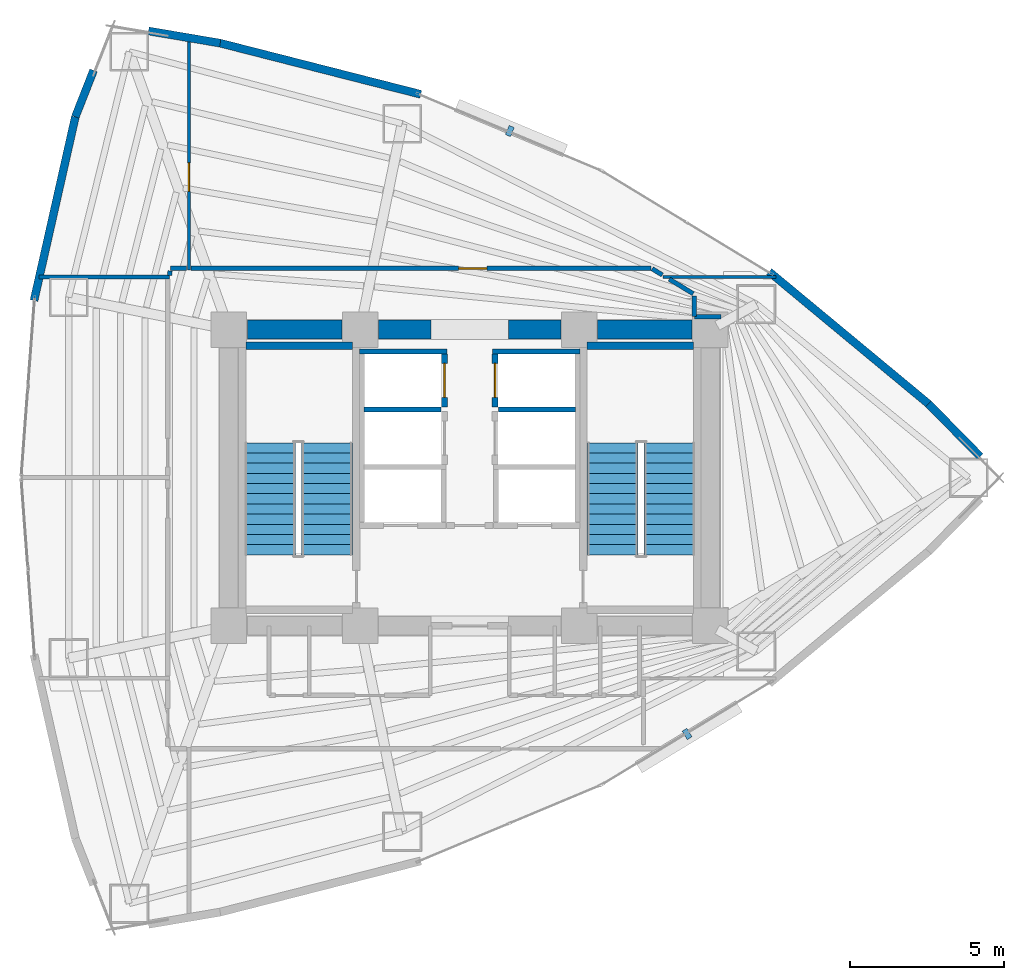
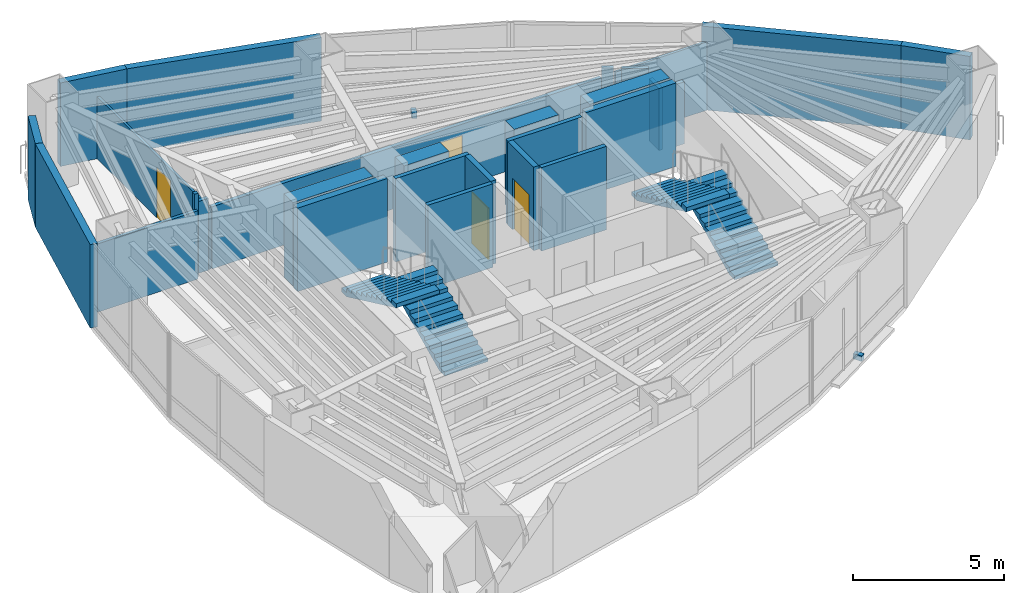
# One storey, part 14 of 16: 28 walls, 4 doors, 4 stair flights, 2 discrete accessories, 4 openings, 2 elements without a shape of their own.
"""IFC4 building model written with IfcOpenShell, lengths in metres."""

from ifc_helpers import new_model, si_unit, direction, frame, frame_2d, origin, origin_2d, place, context, subcontext, project, spatial, polyline, rectangle, outline, extrude, material, layer, layer_set, type_object, element, fill, aggregate, save


model = new_model("IFC4")

# Units and contexts
model_context = context("Model", 3, precision=1e-05, world=origin(), true_north=direction((0.0, 1.0)))
body_context = subcontext(model_context, "Body", "Model", "MODEL_VIEW")
ifc_project = project(units=[si_unit("LENGTHUNIT", "METRE"), si_unit("AREAUNIT", "SQUARE_METRE"), si_unit("VOLUMEUNIT", "CUBIC_METRE"), si_unit("PLANEANGLEUNIT", "RADIAN"), si_unit("MASSUNIT", "GRAM", prefix="KILO")], contexts=[model_context])

# Site, building, storey
site_placement = place(None, origin())
site = spatial("IfcSite", under=ifc_project, at=site_placement, CompositionType="ELEMENT")
building_placement = place(site_placement, origin())
building = spatial("IfcBuilding", under=site, at=building_placement, Name="Menara Vayukalpa", CompositionType="ELEMENT")
storey_placement = place(building_placement, frame((0.0, 0.0, 79.679931640625)))
storey = spatial("IfcBuildingStorey", under=building, at=storey_placement, Name="L19", CompositionType="ELEMENT", Elevation=79.679931640625)

# Walls
ifc_material_1 = material(Name="Concrete C70/85", Category="concrete")
ifc_layer_1 = layer(ifc_material_1, 0.60009765625)
ifc_layer_set_1 = layer_set([ifc_layer_1], Name="Concrete C70/85")
wall_type_1 = type_object("IfcWallType", Name="WAL-CW600", PredefinedType="SHEAR", material=ifc_layer_set_1)
wall_1_placement = place(storey_placement, frame((18.39501953125, 26.800048828125, 0.0), z_axis=(0.0, 0.0, 1.0), x_axis=(1.0, 0.0, 0.0)))
element("IfcWall", 1, at=wall_1_placement, inside=storey, type_object=wall_type_1, Name="L19 Buttressed Core Shear Wall CWN1", PredefinedType="SHEAR", context=body_context, shape_type="SweptSolid", body=[
    extrude(rectangle(XDim=3.06005859375, YDim=0.60009765625, at=frame_2d((1.530029296875, 0.0))), origin(), (0.0, 0.0, 1.0), 3.380126953125),
])
wall_2_placement = place(storey_placement, frame((22.64501953125, 26.800048828125, 0.0), z_axis=(0.0, 0.0, 1.0), x_axis=(1.0, 0.0, 0.0)))
element("IfcWall", 2, at=wall_2_placement, inside=storey, type_object=wall_type_1, Name="L19 Buttressed Core Shear Wall CWN2", PredefinedType="SHEAR", context=body_context, shape_type="SweptSolid", body=[
    extrude(rectangle(XDim=1.705078125, YDim=0.60009765625, at=frame_2d((0.8525390625, 0.0))), origin(), (0.0, 0.0, 1.0), 3.380126953125),
])
wall_3_placement = place(storey_placement, frame((26.85009765625, 26.800048828125, 0.0), z_axis=(0.0, 0.0, 1.0), x_axis=(1.0, 0.0, 0.0)))
element("IfcWall", 3, at=wall_3_placement, inside=storey, type_object=wall_type_1, Name="L19 Buttressed Core Shear Wall CWN3", PredefinedType="SHEAR", context=body_context, shape_type="SweptSolid", body=[
    extrude(rectangle(XDim=1.704833984375, YDim=0.60009765625, at=frame_2d((0.8525390625, 0.0))), origin(), (0.0, 0.0, 1.0), 3.380126953125),
])
wall_4_placement = place(storey_placement, frame((29.7451171875, 26.800048828125, 0.0), z_axis=(0.0, 0.0, 1.0), x_axis=(1.0, 0.0, 0.0)))
element("IfcWall", 4, at=wall_4_placement, inside=storey, type_object=wall_type_1, Name="L19 Buttressed Core Shear Wall CWN4", PredefinedType="SHEAR", context=body_context, shape_type="SweptSolid", body=[
    extrude(rectangle(XDim=3.059814453125, YDim=0.60009765625, at=frame_2d((1.52978515625, 0.0))), origin(), (0.0, 0.0, 1.0), 3.380126953125),
])
ifc_material_2 = material(Name="Insulated Precast Concrete C40/50", Category="concrete")
ifc_layer_2 = layer(ifc_material_2, 0.260009765625)
ifc_layer_set_2 = layer_set([ifc_layer_2], Name="Insulated Precast Concrete C40/50")
wall_type_2 = type_object("IfcWallType", Name="WAL-EXT260", PredefinedType="PARTITIONING", material=ifc_layer_set_2)
wall_5_placement = place(storey_placement, frame((40.46337890625, 24.39208984375, 0.0), z_axis=(0.0, 0.0, 1.0), x_axis=(0.700603293449, -0.713550996922, 0.0)))
element("IfcWall", 5, at=wall_5_placement, inside=storey, type_object=wall_type_2, Name="L19 Perimeter Terracotta Pier Wall 02", PredefinedType="PARTITIONING", context=body_context, shape_type="SweptSolid", body=[
    extrude(rectangle(XDim=2.394775390625, YDim=0.260009765625, at=frame_2d((1.197265625, 0.0))), origin(), (0.0, 0.0, 1.0), 3.380126953125),
])
wall_6_placement = place(storey_placement, frame((35.30126953125, 28.672119140625, 0.0), z_axis=(0.0, 0.0, 1.0), x_axis=(0.76975316947, -0.638341646841, 0.0)))
element("IfcWall", 6, at=wall_6_placement, inside=storey, type_object=wall_type_2, Name="L19 Perimeter Terracotta Pier Wall 03", PredefinedType="PARTITIONING", context=body_context, shape_type="SweptSolid", body=[
    extrude(rectangle(XDim=6.718017578125, YDim=0.260009765625, at=frame_2d((3.35888671875, 0.0))), origin(), (0.0, 0.0, 1.0), 3.380126953125),
])
wall_7_placement = place(storey_placement, frame((17.504638671875, 36.08056640625, 0.0), z_axis=(0.0, 0.0, 1.0), x_axis=(0.968981437296, -0.247133514876, 0.0)))
element("IfcWall", 7, at=wall_7_placement, inside=storey, type_object=wall_type_2, Name="L19 Perimeter Terracotta Pier Wall 06", PredefinedType="PARTITIONING", context=body_context, shape_type="SweptSolid", body=[
    extrude(rectangle(XDim=6.717529296875, YDim=0.260009765625, at=frame_2d((3.35888671875, 0.0))), origin(), (0.0, 0.0, 1.0), 3.380126953125),
])
wall_8_placement = place(storey_placement, frame((15.19287109375, 36.472412109375, 0.0), z_axis=(0.0, 0.0, 1.0), x_axis=(0.985905269947, -0.167304508875, 0.0)))
element("IfcWall", 8, at=wall_8_placement, inside=storey, type_object=wall_type_2, Name="L19 Perimeter Terracotta Pier Wall 07", PredefinedType="PARTITIONING", context=body_context, shape_type="SweptSolid", body=[
    extrude(rectangle(XDim=2.356689453125, YDim=0.260009765625, at=frame_2d((1.17822265625, 0.0))), origin(), (0.0, 0.0, 1.0), 3.380126953125),
])
wall_9_placement = place(storey_placement, frame((12.822021484375, 33.69140625, 0.0), z_axis=(0.0, 0.0, 1.0), x_axis=(0.365488551504, 0.930815835018, 0.0)))
element("IfcWall", 9, at=wall_9_placement, inside=storey, type_object=wall_type_2, Name="L19 Perimeter Terracotta Pier Wall 08", PredefinedType="PARTITIONING", context=body_context, shape_type="SweptSolid", body=[
    extrude(rectangle(XDim=1.61376953125, YDim=0.260009765625, at=frame_2d((0.806884765625, 0.0))), origin(), (0.0, 0.0, 1.0), 3.380126953125),
])
wall_10_placement = place(storey_placement, frame((11.482421875, 27.73828125, 0.0), z_axis=(0.0, 0.0, 1.0), x_axis=(0.219535044336, 0.975604614743, 0.0)))
element("IfcWall", 10, at=wall_10_placement, inside=storey, type_object=wall_type_2, Name="L19 Perimeter Terracotta Pier Wall 09", PredefinedType="PARTITIONING", context=body_context, shape_type="SweptSolid", body=[
    extrude(rectangle(XDim=6.10205078125, YDim=0.260009765625, at=frame_2d((3.051025390625, 0.0))), origin(), (0.0, 0.0, 1.0), 3.380126953125),
])
ifc_material_3 = material(Name="Lightweight Concrete Blockwork C16/20", Category="masonry")
ifc_layer_3 = layer(ifc_material_3, 0.159912109375)
ifc_layer_set_3 = layer_set([ifc_layer_3], Name="Lightweight Concrete Blockwork C16/20")
wall_type_3 = type_object("IfcWallType", Name="WAL-FR150", PredefinedType="PARTITIONING", material=ifc_layer_set_3)
wall_11_placement = place(storey_placement, frame((22.179931640625, 24.215087890625, 0.0), z_axis=(0.0, 0.0, 1.0), x_axis=(1.0, 0.0, 0.0)))
element("IfcWall", 11, at=wall_11_placement, inside=storey, type_object=wall_type_3, Name="L19 Interior Partition IW-L19-SHM-W23", PredefinedType="PARTITIONING", context=body_context, shape_type="SweptSolid", body=[
    extrude(rectangle(XDim=2.489990234375, YDim=0.159912109375, at=frame_2d((1.2451171875, 0.0))), origin(), (0.0, 0.0, 1.0), 3.380126953125),
])
wall_12_placement = place(storey_placement, frame((22.030029296875, 26.0849609375, 0.0), z_axis=(0.0, 0.0, 1.0), x_axis=(1.0, 0.0, 0.0)))
element("IfcWall", 12, at=wall_12_placement, inside=storey, type_object=wall_type_3, Name="L19 Interior Partition IW-L19-SHM-W3N", PredefinedType="PARTITIONING", context=body_context, shape_type="SweptSolid", body=[
    extrude(rectangle(XDim=2.830078125, YDim=0.159912109375, at=frame_2d((1.4150390625, 0.0))), origin(), (0.0, 0.0, 1.0), 3.380126953125),
])
wall_13_placement = place(storey_placement, frame((26.530029296875, 24.215087890625, 0.0), z_axis=(0.0, 0.0, 1.0), x_axis=(1.0, 0.0, 0.0)))
element("IfcWall", 13, at=wall_13_placement, inside=storey, type_object=wall_type_3, Name="L19 Interior Partition IW-L19-SHM-E32", PredefinedType="PARTITIONING", context=body_context, shape_type="SweptSolid", body=[
    extrude(rectangle(XDim=2.489990234375, YDim=0.159912109375, at=frame_2d((1.2451171875, 0.0))), origin(), (0.0, 0.0, 1.0), 3.380126953125),
])
wall_14_placement = place(storey_placement, frame((26.340087890625, 26.0849609375, 0.0), z_axis=(0.0, 0.0, 1.0), x_axis=(1.0, 0.0, 0.0)))
element("IfcWall", 14, at=wall_14_placement, inside=storey, type_object=wall_type_3, Name="L19 Interior Partition IW-L19-SHM-E2N", PredefinedType="PARTITIONING", context=body_context, shape_type="SweptSolid", body=[
    extrude(rectangle(XDim=2.829833984375, YDim=0.159912109375, at=frame_2d((1.4150390625, 0.0))), origin(), (0.0, 0.0, 1.0), 3.380126953125),
])

# Wall, opening, door
ifc_material_4 = material(Name="Lightweight Concrete Blockwork C16/20", Category="masonry")
ifc_layer_4 = layer(ifc_material_4, 0.199951171875)
ifc_layer_set_4 = layer_set([ifc_layer_4], Name="Lightweight Concrete Blockwork C16/20")
wall_type_4 = type_object("IfcWallType", Name="WAL-FR200", PredefinedType="PARTITIONING", material=ifc_layer_set_4)
wall_15_placement = place(storey_placement, frame((24.780029296875, 24.2900390625, 0.0), z_axis=(0.0, 0.0, 1.0), x_axis=(0.0, 1.0, 0.0)))
wall_15 = element("IfcWall", 15, at=wall_15_placement, inside=storey, type_object=wall_type_4, Name="L19 Interior Partition IW-L19-SH-W3", PredefinedType="PARTITIONING", context=body_context, shape_type="SweptSolid", body=[
    extrude(rectangle(XDim=1.719970703125, YDim=0.199951171875, at=frame_2d((0.85986328125, 0.0))), origin(), (0.0, 0.0, 1.0), 3.380126953125),
])
opening_1_placement = place(wall_15_placement, frame((0.31005859375, 0.0, 0.0)))
opening_1 = element("IfcOpeningElement", 16, at=opening_1_placement, cuts=wall_15, Name="Opening LD1", PredefinedType="OPENING", context=body_context, shape_type="SweptSolid", body=[
    extrude(rectangle(XDim=1.10009765625, YDim=2.080078125, at=frame_2d((0.550048828125, 1.0400390625))), frame((0.0, 0.10986328125, 0.0), z_axis=(0.0, -1.0, 0.0), x_axis=(1.0, 0.0, 0.0)), (0.0, 0.0, 1.0), 0.219970703125),
])
ifc_material_5 = material(Name="Brushed Stainless Steel 316 Lift Door", Category="steel")
door_type_1 = type_object("IfcDoorType", Name="DR-LD110", OperationType="NOTDEFINED", PredefinedType="DOOR", material=ifc_material_5)
door_1_placement = place(opening_1_placement, origin())
door_1 = element("IfcDoor", 17, at=door_1_placement, inside=storey, type_object=door_type_1, Name="L19 Interior Door DR-L19-LD-W3", OperationType="DOUBLE_DOOR_SLIDING", OverallHeight=2.080078125, OverallWidth=1.10009765625, PredefinedType="DOOR", context=body_context, shape_type="SweptSolid", body=[
    extrude(rectangle(XDim=1.10009765625, YDim=2.080078125, at=frame_2d((0.550048828125, 1.0400390625))), frame((0.0, 0.02490234375, 0.0), z_axis=(0.0, -1.0, 0.0), x_axis=(1.0, 0.0, 0.0)), (0.0, 0.0, 1.0), 0.050048828125),
])
fill(opening_1, door_1)

wall_16_placement = place(storey_placement, frame((26.419921875, 24.2900390625, 0.0), z_axis=(0.0, 0.0, 1.0), x_axis=(0.0, 1.0, 0.0)))
wall_16 = element("IfcWall", 18, at=wall_16_placement, inside=storey, type_object=wall_type_4, Name="L19 Interior Partition IW-L19-SH-E2", PredefinedType="PARTITIONING", context=body_context, shape_type="SweptSolid", body=[
    extrude(rectangle(XDim=1.719970703125, YDim=0.199951171875, at=frame_2d((0.85986328125, 0.0))), origin(), (0.0, 0.0, 1.0), 3.380126953125),
])
opening_2_placement = place(wall_16_placement, frame((0.31005859375, 0.0, 0.0)))
opening_2 = element("IfcOpeningElement", 19, at=opening_2_placement, cuts=wall_16, Name="Opening LD1", PredefinedType="OPENING", context=body_context, shape_type="SweptSolid", body=[
    extrude(rectangle(XDim=1.10009765625, YDim=2.080078125, at=frame_2d((0.550048828125, 1.0400390625))), frame((0.0, 0.10986328125, 0.0), z_axis=(0.0, -1.0, 0.0), x_axis=(1.0, 0.0, 0.0)), (0.0, 0.0, 1.0), 0.219970703125),
])
door_2_placement = place(opening_2_placement, origin())
door_2 = element("IfcDoor", 20, at=door_2_placement, inside=storey, type_object=door_type_1, Name="L19 Interior Door DR-L19-LD-E2", OperationType="DOUBLE_DOOR_SLIDING", OverallHeight=2.080078125, OverallWidth=1.10009765625, PredefinedType="DOOR", context=body_context, shape_type="SweptSolid", body=[
    extrude(rectangle(XDim=1.10009765625, YDim=2.080078125, at=frame_2d((0.550048828125, 1.0400390625))), frame((0.0, 0.02490234375, 0.0), z_axis=(0.0, -1.0, 0.0), x_axis=(1.0, 0.0, 0.0)), (0.0, 0.0, 1.0), 0.050048828125),
])
fill(opening_2, door_2)

ifc_material_6 = material(Name="Glazed Demountable Office Partition", Category="glass")
ifc_layer_5 = layer(ifc_material_6, 0.094970703125)
ifc_layer_set_5 = layer_set([ifc_layer_5], Name="Glazed Demountable Office Partition")
wall_type_5 = type_object("IfcWallType", Name="WAL-PT100", PredefinedType="PARTITIONING", material=ifc_layer_set_5)
wall_17_placement = place(storey_placement, frame((16.5, 28.72998046875, 0.0), z_axis=(0.0, 0.0, 1.0), x_axis=(0.0, 1.0, 0.0)))
wall_17 = element("IfcWall", 21, at=wall_17_placement, inside=storey, type_object=wall_type_5, Name="L19 Interior Partition IW-L19-RDIV02", PredefinedType="PARTITIONING", context=body_context, shape_type="SweptSolid", body=[
    extrude(rectangle(XDim=7.53076171875, YDim=0.094970703125, at=frame_2d((3.765380859375, 0.0))), origin(), (0.0, 0.0, 1.0), 2.510009765625),
])
opening_3_placement = place(wall_17_placement, frame((2.549072265625, 0.0, 0.0)))
opening_3 = element("IfcOpeningElement", 22, at=opening_3_placement, cuts=wall_17, Name="Opening ID6", PredefinedType="OPENING", context=body_context, shape_type="SweptSolid", body=[
    extrude(rectangle(XDim=0.919921875, YDim=2.050048828125, at=frame_2d((0.4599609375, 1.02490234375))), frame((0.0, 0.057373046875, 0.0), z_axis=(0.0, -1.0, 0.0), x_axis=(1.0, 0.0, 0.0)), (0.0, 0.0, 1.0), 0.114990234375),
])
ifc_material_7 = material(Name="Acoustic Hardwood Veneer Timber Door", Category="wood")
door_type_2 = type_object("IfcDoorType", Name="DR-INT92", OperationType="NOTDEFINED", PredefinedType="DOOR", material=ifc_material_7)
door_3_placement = place(opening_3_placement, origin())
door_3 = element("IfcDoor", 23, at=door_3_placement, inside=storey, type_object=door_type_2, Name="L19 Interior Door DR-L19-STE07", OperationType="SINGLE_SWING_RIGHT", OverallHeight=2.050048828125, OverallWidth=0.919921875, PredefinedType="DOOR", context=body_context, shape_type="SweptSolid", body=[
    extrude(rectangle(XDim=0.919921875, YDim=2.050048828125, at=frame_2d((0.4599609375, 1.02490234375))), frame((0.0, 0.02490234375, 0.0), z_axis=(0.0, -1.0, 0.0), x_axis=(1.0, 0.0, 0.0)), (0.0, 0.0, 1.0), 0.050048828125),
])
fill(opening_3, door_3)

# Walls
wall_18_placement = place(storey_placement, frame((31.855712890625, 28.5, 0.0), z_axis=(0.0, 0.0, 1.0), x_axis=(1.0, 0.0, 0.0)))
element("IfcWall", 24, at=wall_18_placement, inside=storey, type_object=wall_type_5, Name="L19 Interior Partition IW-L19-RDIV06", PredefinedType="PARTITIONING", context=body_context, shape_type="SweptSolid", body=[
    extrude(rectangle(XDim=3.668701171875, YDim=0.094970703125, at=frame_2d((1.83447265625, 0.0))), origin(), (0.0, 0.0, 1.0), 2.760009765625),
])
ifc_material_8 = material(Name="Gypsum Drywall Steel Stud Assembly", Category="steel")
ifc_layer_6 = layer(ifc_material_8, 0.125)
ifc_layer_set_6 = layer_set([ifc_layer_6], Name="Gypsum Drywall Steel Stud Assembly")
wall_type_6 = type_object("IfcWallType", Name="WAL-PT125", PredefinedType="PARTITIONING", material=ifc_layer_set_6)
wall_19_placement = place(storey_placement, frame((11.6435546875, 28.5, 0.0), z_axis=(0.0, 0.0, 1.0), x_axis=(1.0, 0.0, 0.0)))
element("IfcWall", 25, at=wall_19_placement, inside=storey, type_object=wall_type_6, Name="L19 Interior Partition IW-L19-RDIV05", PredefinedType="PARTITIONING", context=body_context, shape_type="SweptSolid", body=[
    extrude(rectangle(XDim=4.2265625, YDim=0.125, at=frame_2d((2.11328125, 0.0))), origin(), (0.0, 0.0, 1.0), 2.760009765625),
])
ifc_material_9 = material(Name="Gypsum Drywall Acoustic Stud Assembly", Category="masonry")
ifc_layer_7 = layer(ifc_material_9, 0.14501953125)
ifc_layer_set_7 = layer_set([ifc_layer_7], Name="Gypsum Drywall Acoustic Stud Assembly")
wall_type_7 = type_object("IfcWallType", Name="WAL-PT150", PredefinedType="PARTITIONING", material=ifc_layer_set_7)
wall_20_placement = place(storey_placement, frame((33.739990234375, 27.219970703125, 0.0), z_axis=(0.0, 0.0, 1.0), x_axis=(-1.0, 0.0, 0.0)))
element("IfcWall", 26, at=wall_20_placement, inside=storey, type_object=wall_type_7, Name="L19 Interior Partition IW-L19-CRM05-1", PredefinedType="PARTITIONING", context=body_context, shape_type="SweptSolid", body=[
    extrude(rectangle(XDim=0.860107421875, YDim=0.14501953125, at=frame_2d((0.43017578125, 0.0))), origin(), (0.0, 0.0, 1.0), 2.510009765625),
])
wall_21_placement = place(storey_placement, frame((32.8798828125, 27.219970703125, 0.0), z_axis=(0.0, 0.0, 1.0), x_axis=(0.0, 1.0, 0.0)))
element("IfcWall", 27, at=wall_21_placement, inside=storey, type_object=wall_type_7, Name="L19 Interior Partition IW-L19-CRM05-2", PredefinedType="PARTITIONING", context=body_context, shape_type="SweptSolid", body=[
    extrude(rectangle(XDim=0.671142578125, YDim=0.14501953125, at=frame_2d((0.33544921875, 0.0))), origin(), (0.0, 0.0, 1.0), 2.510009765625),
])
wall_22_placement = place(storey_placement, frame((32.841552734375, 27.959716796875, 0.0), z_axis=(0.0, 0.0, 1.0), x_axis=(-0.854770437211, 0.519006261686, 0.0)))
element("IfcWall", 28, at=wall_22_placement, inside=storey, type_object=wall_type_7, Name="L19 Interior Partition IW-L19-CRM05-3", PredefinedType="PARTITIONING", context=body_context, shape_type="SweptSolid", body=[
    extrude(rectangle(XDim=0.906005859375, YDim=0.14501953125, at=frame_2d((0.453125, 0.0))), origin(), (0.0, 0.0, 1.0), 2.91015625),
])
wall_23_placement = place(storey_placement, frame((31.83984375, 28.568115234375, 0.0), z_axis=(0.0, 0.0, 1.0), x_axis=(-0.854857682939, 0.518862546269, 0.0)))
element("IfcWall", 29, at=wall_23_placement, inside=storey, type_object=wall_type_7, Name="L19 Interior Partition IW-L19-CRM06-1", PredefinedType="PARTITIONING", context=body_context, shape_type="SweptSolid", body=[
    extrude(rectangle(XDim=0.3857421875, YDim=0.14501953125, at=frame_2d((0.19287109375, 0.0))), origin(), (0.0, 0.0, 1.0), 2.91015625),
])

# Wall, opening, door
wall_24_placement = place(storey_placement, frame((31.468505859375, 28.780029296875, 0.0), z_axis=(0.0, 0.0, 1.0), x_axis=(-1.0, 0.0, 0.0)))
wall_24 = element("IfcWall", 30, at=wall_24_placement, inside=storey, type_object=wall_type_7, Name="L19 Interior Partition IW-L19-CRM06-2", PredefinedType="PARTITIONING", context=body_context, shape_type="SweptSolid", body=[
    extrude(rectangle(XDim=14.8984375, YDim=0.14501953125, at=frame_2d((7.44921875, 0.0))), origin(), (0.0, 0.0, 1.0), 2.510009765625),
])
opening_4_placement = place(wall_24_placement, frame((5.31201171875, 0.0, 0.0)))
opening_4 = element("IfcOpeningElement", 31, at=opening_4_placement, cuts=wall_24, Name="Opening ID6", PredefinedType="OPENING", context=body_context, shape_type="SweptSolid", body=[
    extrude(rectangle(XDim=0.919921875, YDim=2.050048828125, at=frame_2d((0.4599609375, 1.02490234375))), frame((0.0, 0.08251953125, 0.0), z_axis=(0.0, -1.0, 0.0), x_axis=(1.0, 0.0, 0.0)), (0.0, 0.0, 1.0), 0.1650390625),
])
door_4_placement = place(opening_4_placement, origin())
door_4 = element("IfcDoor", 32, at=door_4_placement, inside=storey, type_object=door_type_2, Name="L19 Interior Door DR-L19-RM06", OperationType="SINGLE_SWING_RIGHT", OverallHeight=2.050048828125, OverallWidth=0.919921875, PredefinedType="DOOR", context=body_context, shape_type="SweptSolid", body=[
    extrude(rectangle(XDim=0.919921875, YDim=2.050048828125, at=frame_2d((0.4599609375, 1.02490234375))), frame((0.0, 0.02490234375, 0.0), z_axis=(0.0, -1.0, 0.0), x_axis=(1.0, 0.0, 0.0)), (0.0, 0.0, 1.0), 0.050048828125),
])
fill(opening_4, door_4)

# Walls
wall_25_placement = place(storey_placement, frame((16.429931640625, 28.780029296875, 0.0), z_axis=(0.0, 0.0, 1.0), x_axis=(-1.0, 0.0, 0.0)))
element("IfcWall", 33, at=wall_25_placement, inside=storey, type_object=wall_type_7, Name="L19 Interior Partition IW-L19-CRM07-1", PredefinedType="PARTITIONING", context=body_context, shape_type="SweptSolid", body=[
    extrude(rectangle(XDim=0.530029296875, YDim=0.14501953125, at=frame_2d((0.26513671875, 0.0))), origin(), (0.0, 0.0, 1.0), 2.91015625),
])
wall_26_placement = place(storey_placement, frame((15.8916015625, 28.700439453125, 0.0), z_axis=(0.0, 0.0, 1.0), x_axis=(-0.107955324157, -0.994155746343, 0.0)))
element("IfcWall", 34, at=wall_26_placement, inside=storey, type_object=wall_type_7, Name="L19 Interior Partition IW-L19-CRM07-1-R1", PredefinedType="PARTITIONING", context=body_context, shape_type="SweptSolid", body=[
    extrude(rectangle(XDim=0.151611328125, YDim=0.14501953125, at=frame_2d((0.07568359375, 0.0))), origin(), (0.0, 0.0, 1.0), 3.380126953125),
])
ifc_material_10 = material(Name="Concrete C50/60", Category="concrete")
ifc_layer_8 = layer(ifc_material_10, 0.25)
ifc_layer_set_8 = layer_set([ifc_layer_8], Name="Concrete C50/60")
wall_type_8 = type_object("IfcWallType", Name="WAL-SW250", PredefinedType="SHEAR", material=ifc_layer_set_8)
for number, where, z_axis, x_axis, name in (
    (35, (18.35400390625, 26.27490234375, 0.0), (0.0, 0.0, 1.0), (1.0, 0.0, 0.0), "L19 ST1 Structural Stair Shaft Wall N"),
    (36, (29.39990234375, 26.27490234375, 0.0), (0.0, 0.0, 1.0), (1.0, 0.0, 0.0), "L19 ST2 Structural Stair Shaft Wall N"),
):
    element("IfcWall", number, at=place(storey_placement, frame(where, z_axis=z_axis, x_axis=x_axis)), inside=storey, type_object=wall_type_8, Name=name, PredefinedType="SHEAR", context=body_context, shape_type="SweptSolid", body=[
        extrude(rectangle(XDim=3.446044921875, YDim=0.25, at=frame_2d((1.72314453125, 0.0))), origin(), (0.0, 0.0, 1.0), 3.380126953125),
    ])

# Stair, stair flights
ifc_material_11 = material(Name="Precast Concrete C40/50", Category="concrete")
stair_type = type_object("IfcStairType", Name="STR-T04", PredefinedType="DOUBLE_RETURN_STAIR", material=ifc_material_11)
stair_1_placement = place(storey_placement, origin())
stair_1 = element("IfcStair", 37, at=stair_1_placement, inside=storey, type_object=stair_type, Name="L19 Core Exit Stair ST-1", PredefinedType="DOUBLE_RETURN_STAIR")
ifc_material_12 = material(Name="Precast Concrete C40/50", Category="concrete")
stair_flight_type = type_object("IfcStairFlightType", Name="STF-T04", PredefinedType="STRAIGHT", material=ifc_material_12)
stair_flight_1_placement = place(storey_placement, frame((20.97509765625, 19.5, 0.0), z_axis=(0.0, 0.0, 1.0), x_axis=(0.0, 1.0, 0.0)))
stair_flight_1 = element("IfcStairFlight", 38, at=stair_flight_1_placement, type_object=stair_flight_type, Name="ST-1 flight 1", NumberOfRisers=12, NumberOfTreads=11, PredefinedType="STRAIGHT", RiserHeight=0.155, TreadLength=0.33, context=body_context, shape_type="SweptSolid", body=[
    extrude(outline(polyline([(0.0, 0.0), (0.0, 0.155029296875), (0.330078125, 0.155029296875), (0.330078125, 0.31005859375), (0.659912109375, 0.31005859375), (0.659912109375, 0.465087890625), (0.989990234375, 0.465087890625), (0.989990234375, 0.6201171875), (1.320068359375, 0.6201171875), (1.320068359375, 0.77490234375), (1.64990234375, 0.77490234375), (1.64990234375, 0.929931640625), (1.97998046875, 0.929931640625), (1.97998046875, 1.0849609375), (2.31005859375, 1.0849609375), (2.31005859375, 1.239990234375), (2.639892578125, 1.239990234375), (2.639892578125, 1.39501953125), (2.969970703125, 1.39501953125), (2.969970703125, 1.550048828125), (3.300048828125, 1.550048828125), (3.300048828125, 1.705078125), (3.6298828125, 1.705078125), (3.6298828125, 1.860107421875), (3.6298828125, 1.539306640625), (0.3525390625, 0.0), (0.0, 0.0)])), frame((0.0, 0.824951171875, 0.0), z_axis=(0.0, -1.0, 0.0), x_axis=(1.0, 0.0, 0.0)), (0.0, 0.0, 1.0), 1.64990234375),
])
stair_flight_2_placement = place(storey_placement, frame((19.125, 23.1298828125, 1.860107421875), z_axis=(0.0, 0.0, 1.0), x_axis=(0.0, -1.0, 0.0)))
stair_flight_2 = element("IfcStairFlight", 39, at=stair_flight_2_placement, type_object=stair_flight_type, Name="ST-1 flight 2", NumberOfRisers=12, NumberOfTreads=11, PredefinedType="STRAIGHT", RiserHeight=0.155, TreadLength=0.33, context=body_context, shape_type="SweptSolid", body=[
    extrude(outline(polyline([(0.0, 0.0), (0.0, 0.155029296875), (0.330078125, 0.155029296875), (0.330078125, 0.31005859375), (0.659912109375, 0.31005859375), (0.659912109375, 0.465087890625), (0.989990234375, 0.465087890625), (0.989990234375, 0.6201171875), (1.320068359375, 0.6201171875), (1.320068359375, 0.77490234375), (1.64990234375, 0.77490234375), (1.64990234375, 0.929931640625), (1.97998046875, 0.929931640625), (1.97998046875, 1.0849609375), (2.31005859375, 1.0849609375), (2.31005859375, 1.239990234375), (2.639892578125, 1.239990234375), (2.639892578125, 1.39501953125), (2.969970703125, 1.39501953125), (2.969970703125, 1.550048828125), (3.300048828125, 1.550048828125), (3.300048828125, 1.705078125), (3.6298828125, 1.705078125), (3.6298828125, 1.860107421875), (3.6298828125, 1.539306640625), (0.3525390625, 0.0), (0.0, 0.0)])), frame((0.0, 0.824951171875, 0.0), z_axis=(0.0, -1.0, 0.0), x_axis=(1.0, 0.0, 0.0)), (0.0, 0.0, 1.0), 1.64990234375),
])
aggregate(stair_1, [stair_flight_1, stair_flight_2])

stair_2_placement = place(storey_placement, origin())
stair_2 = element("IfcStair", 40, at=stair_2_placement, inside=storey, type_object=stair_type, Name="L19 Core Exit Stair ST-2", PredefinedType="DOUBLE_RETURN_STAIR")
stair_flight_3_placement = place(storey_placement, frame((32.074951171875, 19.5, 0.0), z_axis=(0.0, 0.0, 1.0), x_axis=(0.0, 1.0, 0.0)))
stair_flight_3 = element("IfcStairFlight", 41, at=stair_flight_3_placement, type_object=stair_flight_type, Name="ST-2 flight 1", NumberOfRisers=12, NumberOfTreads=11, PredefinedType="STRAIGHT", RiserHeight=0.155, TreadLength=0.33, context=body_context, shape_type="SweptSolid", body=[
    extrude(outline(polyline([(0.0, 0.0), (0.0, 0.155029296875), (0.330078125, 0.155029296875), (0.330078125, 0.31005859375), (0.659912109375, 0.31005859375), (0.659912109375, 0.465087890625), (0.989990234375, 0.465087890625), (0.989990234375, 0.6201171875), (1.320068359375, 0.6201171875), (1.320068359375, 0.77490234375), (1.64990234375, 0.77490234375), (1.64990234375, 0.929931640625), (1.97998046875, 0.929931640625), (1.97998046875, 1.0849609375), (2.31005859375, 1.0849609375), (2.31005859375, 1.239990234375), (2.639892578125, 1.239990234375), (2.639892578125, 1.39501953125), (2.969970703125, 1.39501953125), (2.969970703125, 1.550048828125), (3.300048828125, 1.550048828125), (3.300048828125, 1.705078125), (3.6298828125, 1.705078125), (3.6298828125, 1.860107421875), (3.6298828125, 1.539306640625), (0.3525390625, 0.0), (0.0, 0.0)])), frame((0.0, 0.824951171875, 0.0), z_axis=(0.0, -1.0, 0.0), x_axis=(1.0, 0.0, 0.0)), (0.0, 0.0, 1.0), 1.64990234375),
])
stair_flight_4_placement = place(storey_placement, frame((30.22509765625, 23.1298828125, 1.860107421875), z_axis=(0.0, 0.0, 1.0), x_axis=(0.0, -1.0, 0.0)))
stair_flight_4 = element("IfcStairFlight", 42, at=stair_flight_4_placement, type_object=stair_flight_type, Name="ST-2 flight 2", NumberOfRisers=12, NumberOfTreads=11, PredefinedType="STRAIGHT", RiserHeight=0.155, TreadLength=0.33, context=body_context, shape_type="SweptSolid", body=[
    extrude(outline(polyline([(0.0, 0.0), (0.0, 0.155029296875), (0.330078125, 0.155029296875), (0.330078125, 0.31005859375), (0.659912109375, 0.31005859375), (0.659912109375, 0.465087890625), (0.989990234375, 0.465087890625), (0.989990234375, 0.6201171875), (1.320068359375, 0.6201171875), (1.320068359375, 0.77490234375), (1.64990234375, 0.77490234375), (1.64990234375, 0.929931640625), (1.97998046875, 0.929931640625), (1.97998046875, 1.0849609375), (2.31005859375, 1.0849609375), (2.31005859375, 1.239990234375), (2.639892578125, 1.239990234375), (2.639892578125, 1.39501953125), (2.969970703125, 1.39501953125), (2.969970703125, 1.550048828125), (3.300048828125, 1.550048828125), (3.300048828125, 1.705078125), (3.6298828125, 1.705078125), (3.6298828125, 1.860107421875), (3.6298828125, 1.539306640625), (0.3525390625, 0.0), (0.0, 0.0)])), frame((0.0, 0.824951171875, 0.0), z_axis=(0.0, -1.0, 0.0), x_axis=(1.0, 0.0, 0.0)), (0.0, 0.0, 1.0), 1.64990234375),
])
aggregate(stair_2, [stair_flight_3, stair_flight_4])

# Discrete accessories
ifc_material_13 = material(Name="Stainless Steel 316 Sunshade Bracket", Category="steel")
discrete_accessory_type = type_object("IfcDiscreteAccessoryType", Name="ACC-BRK1", PredefinedType="BRACKET", material=ifc_material_13)
for number, where, z_axis, x_axis, name in (
    (43, (26.898193359375, 33.22900390625, -0.16015625), (0.0, 0.0, 1.0), (-0.922544824647, 0.385889940938, 0.0), "L19 Terracotta Sunshade Bracket 05"),
    (44, (32.6416015625, 13.69580078125, -0.16015625), (0.0, 0.0, 1.0), (0.85466730962, 0.519176068272, 0.0), "L19 Terracotta Sunshade Bracket 17"),
):
    element("IfcDiscreteAccessory", number, at=place(storey_placement, frame(where, z_axis=z_axis, x_axis=x_axis)), inside=storey, type_object=discrete_accessory_type, Name=name, PredefinedType="BRACKET", context=body_context, shape_type="SweptSolid", body=[
        extrude(rectangle(XDim=0.179931640625, YDim=0.320068359375, at=origin_2d()), origin(), (0.0, 0.0, 1.0), 0.219970703125),
    ])

save(model, "model.ifc")
